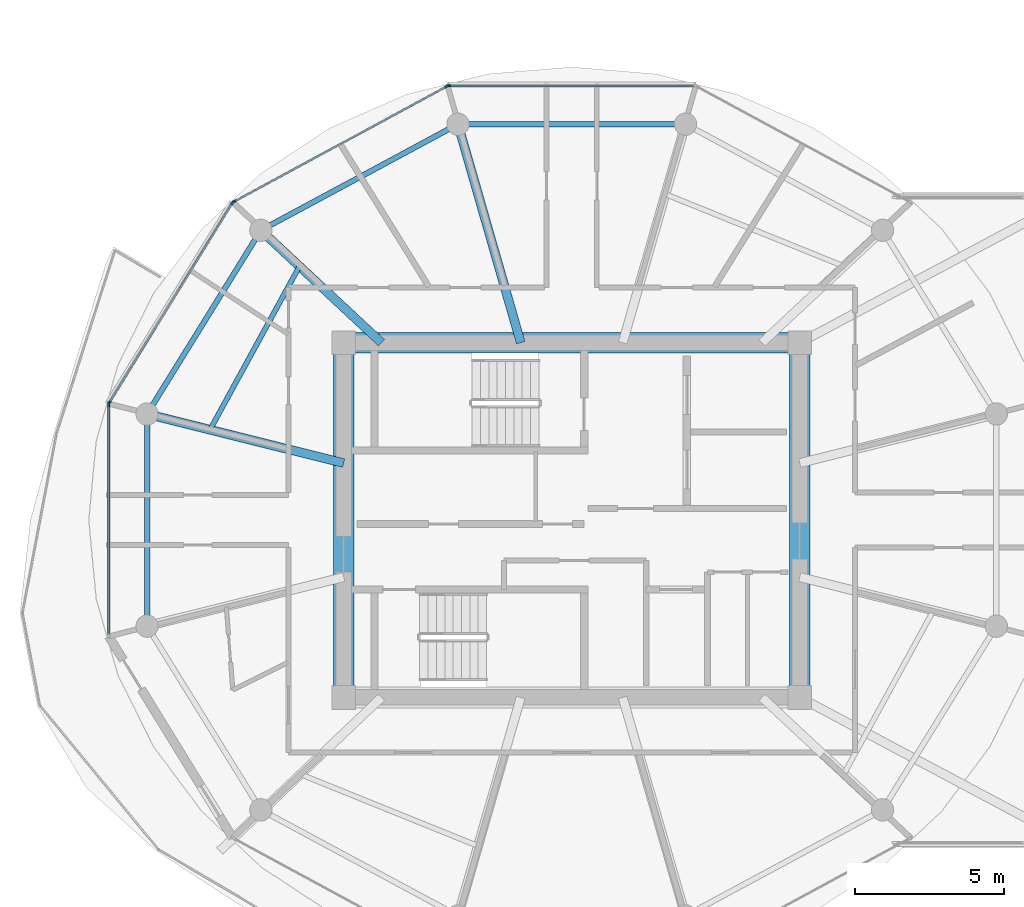
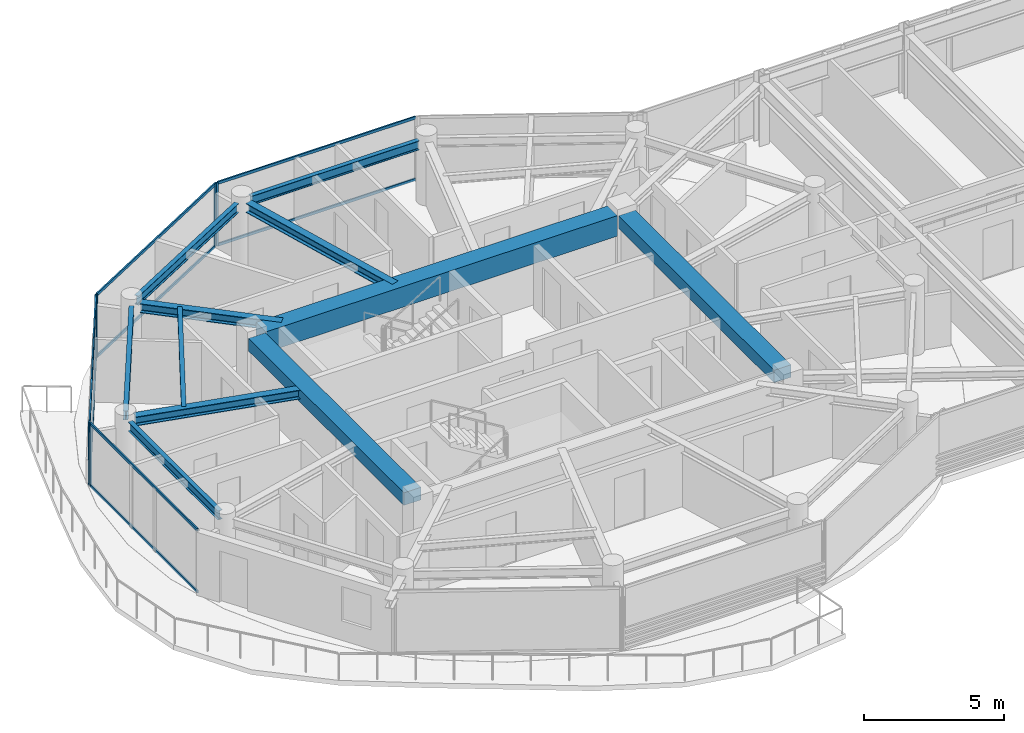
# One storey, part 4 of 23: 14 members, 11 beams, 4 elements without a shape of their own.
"""IFC4 building model written with IfcOpenShell, lengths in metres."""

from ifc_helpers import new_model, si_unit, direction, frame, origin, origin_2d, place, context, subcontext, project, spatial, rectangle, i_section, extrude, source, transform, mapped, material, layer, layer_set, material_profile, profile_set, type_object, type_shapes, element, aggregate, save


model = new_model("IFC4")

# Units and contexts
model_context = context("Model", 3, precision=1e-05, world=origin(), true_north=direction((0.0, 1.0)))
body_context = subcontext(model_context, "Body", "Model", "MODEL_VIEW")
ifc_project = project(units=[si_unit("LENGTHUNIT", "METRE"), si_unit("AREAUNIT", "SQUARE_METRE"), si_unit("VOLUMEUNIT", "CUBIC_METRE"), si_unit("PLANEANGLEUNIT", "RADIAN"), si_unit("MASSUNIT", "GRAM", prefix="KILO")], contexts=[model_context])

# Site, building, storey
site_placement = place(None, origin())
site = spatial("IfcSite", under=ifc_project, at=site_placement, CompositionType="ELEMENT")
building_placement = place(site_placement, origin())
building = spatial("IfcBuilding", under=site, at=building_placement, Name="Norrkilde Senior Care Towers", CompositionType="ELEMENT")
storey_placement = place(building_placement, frame((0.0, 0.0, 220.0)))
storey = spatial("IfcBuildingStorey", under=building, at=storey_placement, Name="L68", CompositionType="ELEMENT", Elevation=220.0)

# Beams
ifc_material_1 = material(Name="Concrete C60/75", Category="concrete")
ifc_material_profile_1 = material_profile(ifc_material_1, rectangle(XDim=0.699951171875, YDim=0.89990234375, at=origin_2d()), Name="RC BM 700x900")
ifc_profile_set_1 = profile_set([ifc_material_profile_1], Name="Concrete C60/75")
beam_type_1 = type_object("IfcBeamType", Name="Core Coupling Girder 700x900", PredefinedType="USERDEFINED", material=ifc_profile_set_1)
shared_shape_1 = source(origin(), body_context, "Body", "SweptSolid", [
    extrude(rectangle(XDim=0.699951171875, YDim=0.89990234375, at=origin_2d()), origin(), (0.0, 0.0, 1.0), 14.5400390625),
])
type_shapes(beam_type_1, [shared_shape_1])
beam_1_placement = place(storey_placement, frame((-35.27001953125, 5.949951171875, 2.31005859375), z_axis=(1.0, 0.0, 0.0), x_axis=(0.0, 1.0, 0.0)))
element("IfcBeam", 1, at=beam_1_placement, inside=storey, type_object=beam_type_1, Name="L68 Core W N Coupling Girder", ObjectType="GIRDER", PredefinedType="USERDEFINED", context=body_context, shape_type="MappedRepresentation", body=[
    mapped(shared_shape_1, transform((0.0, 0.0, 0.0), x_axis=(1.0, 0.0, 0.0), y_axis=(0.0, 1.0, 0.0), z_axis=(0.0, 0.0, 1.0), scale=1.0)),
])
ifc_material_profile_2 = material_profile(ifc_material_1, rectangle(XDim=0.699951171875, YDim=0.550048828125, at=origin_2d()), Name="RC BM 700x550")
ifc_profile_set_2 = profile_set([ifc_material_profile_2], Name="Concrete C60/75")
beam_type_2 = type_object("IfcBeamType", Name="Core Portal Coupling Beam 700x550", PredefinedType="USERDEFINED", material=ifc_profile_set_2)
shared_shape_2 = source(origin(), body_context, "Body", "SweptSolid", [
    extrude(rectangle(XDim=0.699951171875, YDim=0.550048828125, at=origin_2d()), origin(), (0.0, 0.0, 1.0), 11.14013671875),
])
type_shapes(beam_type_2, [shared_shape_2])
for number, where, z_axis, x_axis, name in (
    (2, (-35.64990234375, -5.570068359375, 2.485107421875), (0.0, 1.0, 0.0), (-1.0, 0.0, 0.0), "L68 Core W W Coupling Girder"),
    (3, (-20.35009765625, -5.570068359375, 2.485107421875), (0.0, 1.0, 0.0), (-1.0, 0.0, 0.0), "L68 Core W E Coupling Girder"),
):
    element("IfcBeam", number, at=place(storey_placement, frame(where, z_axis=z_axis, x_axis=x_axis)), inside=storey, type_object=beam_type_2, Name=name, ObjectType="GIRDER", PredefinedType="USERDEFINED", context=body_context, shape_type="MappedRepresentation", body=[
        mapped(shared_shape_2, transform((0.0, 0.0, 0.0), x_axis=(1.0, 0.0, 0.0), y_axis=(0.0, 1.0, 0.0), z_axis=(0.0, 0.0, 1.0), scale=1.0)),
    ])
ifc_material_2 = material(Name="Steel S355", Category="steel")
ifc_material_profile_3 = material_profile(ifc_material_2, i_section(OverallWidth=0.179931640625, OverallDepth=0.39990234375, WebThickness=0.008544921875, FlangeThickness=0.013427734375, FilletRadius=0.02099609375, at=origin_2d()), Name="IPE 400")
ifc_profile_set_3 = profile_set([ifc_material_profile_3], Name="Steel S355")
beam_type_3 = type_object("IfcBeamType", Name="Perimeter Ring Spandrel Z4 IPE400", PredefinedType="SPANDREL", material=ifc_profile_set_3)
shared_shape_3 = source(origin(), body_context, "Body", "SweptSolid", [
    extrude(i_section(OverallWidth=0.179931640625, OverallDepth=0.39990234375, WebThickness=0.008544921875, FlangeThickness=0.013427734375, FilletRadius=0.02099609375, at=origin_2d()), origin(), (0.0, 0.0, 1.0), 6.58056640625),
])
beam_2_placement = place(storey_placement, frame((-38.606201171875, 9.43798828125, 2.56005859375), z_axis=(-0.526529583789, -0.850156807533, 0.0), x_axis=(0.850156807533, -0.526529583789, 0.0)))
element("IfcBeam", 4, at=beam_2_placement, inside=storey, type_object=beam_type_3, Name="L68 Drum W Perimeter Spandrel 05", PredefinedType="SPANDREL", context=body_context, shape_type="MappedRepresentation", body=[
    mapped(shared_shape_3, transform((0.0, 0.0, 0.0), x_axis=(1.0, 0.0, 0.0), y_axis=(0.0, 1.0, 0.0), z_axis=(0.0, 0.0, 1.0), scale=1.0)),
])
ifc_material_profile_4 = material_profile(ifc_material_2, i_section(OverallWidth=0.300048828125, OverallDepth=0.39990234375, WebThickness=0.013427734375, FlangeThickness=0.02392578125, FilletRadius=0.027099609375, at=origin_2d()), Name="HEB 400")
ifc_profile_set_4 = profile_set([ifc_material_profile_4], Name="Steel S355")
beam_type_4 = type_object("IfcBeamType", Name="Radial Floor Beam Z4 HEB400", PredefinedType="BEAM", material=ifc_profile_set_4)
shared_shape_4 = source(origin(), body_context, "Body", "SweptSolid", [
    extrude(i_section(OverallWidth=0.300048828125, OverallDepth=0.39990234375, WebThickness=0.013427734375, FlangeThickness=0.02392578125, FilletRadius=0.027099609375, at=origin_2d()), origin(), (0.0, 0.0, 1.0), 6.465087890625),
])
beam_3_placement = place(storey_placement, frame((-35.64990234375, 1.910888671875, 2.56005859375), z_axis=(-0.970195788563, 0.242322371758, 0.0), x_axis=(-0.242322371758, -0.970195788563, 0.0)))
element("IfcBeam", 5, at=beam_3_placement, inside=storey, type_object=beam_type_4, Name="L68 Drum W Radial Floor Beam 06", PredefinedType="BEAM", context=body_context, shape_type="MappedRepresentation", body=[
    mapped(shared_shape_4, transform((0.0, 0.0, 0.0), x_axis=(1.0, 0.0, 0.0), y_axis=(0.0, 1.0, 0.0), z_axis=(0.0, 0.0, 1.0), scale=1.0)),
])
shared_shape_5 = source(origin(), body_context, "Body", "SweptSolid", [
    extrude(i_section(OverallWidth=0.179931640625, OverallDepth=0.39990234375, WebThickness=0.008544921875, FlangeThickness=0.013427734375, FilletRadius=0.02099609375, at=origin_2d()), origin(), (0.0, 0.0, 1.0), 6.839111328125),
])
beam_4_placement = place(storey_placement, frame((-32.112548828125, 13.122802734375, 2.56005859375), z_axis=(-0.880563930732, -0.473927382511, 0.0), x_axis=(0.473927382511, -0.880563930732, 0.0)))
element("IfcBeam", 6, at=beam_4_placement, inside=storey, type_object=beam_type_3, Name="L68 Drum W Perimeter Spandrel 04", PredefinedType="SPANDREL", context=body_context, shape_type="MappedRepresentation", body=[
    mapped(shared_shape_5, transform((0.0, 0.0, 0.0), x_axis=(1.0, 0.0, 0.0), y_axis=(0.0, 1.0, 0.0), z_axis=(0.0, 0.0, 1.0), scale=1.0)),
])
shared_shape_6 = source(origin(), body_context, "Body", "SweptSolid", [
    extrude(i_section(OverallWidth=0.300048828125, OverallDepth=0.39990234375, WebThickness=0.013427734375, FlangeThickness=0.02392578125, FilletRadius=0.027099609375, at=origin_2d()), origin(), (0.0, 0.0, 1.0), 5.197998046875),
])
beam_5_placement = place(storey_placement, frame((-34.3828125, 5.949951171875, 2.56005859375), z_axis=(-0.731448749334, 0.681896419625, 0.0), x_axis=(-0.681896419625, -0.731448749334, 0.0)))
element("IfcBeam", 7, at=beam_5_placement, inside=storey, type_object=beam_type_4, Name="L68 Drum W Radial Floor Beam 05", PredefinedType="BEAM", context=body_context, shape_type="MappedRepresentation", body=[
    mapped(shared_shape_6, transform((0.0, 0.0, 0.0), x_axis=(1.0, 0.0, 0.0), y_axis=(0.0, 1.0, 0.0), z_axis=(0.0, 0.0, 1.0), scale=1.0)),
])
shared_shape_7 = source(origin(), body_context, "Body", "SweptSolid", [
    extrude(i_section(OverallWidth=0.179931640625, OverallDepth=0.39990234375, WebThickness=0.008544921875, FlangeThickness=0.013427734375, FilletRadius=0.02099609375, at=origin_2d()), origin(), (0.0, 0.0, 1.0), 6.96533203125),
])
beam_6_placement = place(storey_placement, frame((-24.517333984375, 13.281494140625, 2.56005859375), z_axis=(-1.0, 0.0, 0.0), x_axis=(0.0, -1.0, 0.0)))
element("IfcBeam", 8, at=beam_6_placement, inside=storey, type_object=beam_type_3, Name="L68 Drum W Perimeter Spandrel 03", PredefinedType="SPANDREL", context=body_context, shape_type="MappedRepresentation", body=[
    mapped(shared_shape_7, transform((0.0, 0.0, 0.0), x_axis=(1.0, 0.0, 0.0), y_axis=(0.0, 1.0, 0.0), z_axis=(0.0, 0.0, 1.0), scale=1.0)),
])
shared_shape_8 = source(origin(), body_context, "Body", "SweptSolid", [
    extrude(i_section(OverallWidth=0.300048828125, OverallDepth=0.39990234375, WebThickness=0.013427734375, FlangeThickness=0.02392578125, FilletRadius=0.027099609375, at=origin_2d()), origin(), (0.0, 0.0, 1.0), 7.29345703125),
])
type_shapes(beam_type_4, [shared_shape_4, shared_shape_6, shared_shape_8])
beam_7_placement = place(storey_placement, frame((-29.710205078125, 5.949951171875, 2.56005859375), z_axis=(-0.276263751906, 0.961081858836, 0.0), x_axis=(-0.961081858836, -0.276263751906, 0.0)))
element("IfcBeam", 9, at=beam_7_placement, inside=storey, type_object=beam_type_4, Name="L68 Drum W Radial Floor Beam 04", PredefinedType="BEAM", context=body_context, shape_type="MappedRepresentation", body=[
    mapped(shared_shape_8, transform((0.0, 0.0, 0.0), x_axis=(1.0, 0.0, 0.0), y_axis=(0.0, 1.0, 0.0), z_axis=(0.0, 0.0, 1.0), scale=1.0)),
])
shared_shape_9 = source(origin(), body_context, "Body", "SweptSolid", [
    extrude(i_section(OverallWidth=0.179931640625, OverallDepth=0.39990234375, WebThickness=0.008544921875, FlangeThickness=0.013427734375, FilletRadius=0.02099609375, at=origin_2d()), origin(), (0.0, 0.0, 1.0), 6.44775390625),
])
type_shapes(beam_type_3, [shared_shape_3, shared_shape_5, shared_shape_7, shared_shape_9])
beam_8_placement = place(storey_placement, frame((-42.247314453125, 3.223876953125, 2.56005859375), z_axis=(0.0, -1.0, 0.0), x_axis=(1.0, 0.0, 0.0)))
element("IfcBeam", 10, at=beam_8_placement, inside=storey, type_object=beam_type_3, Name="L68 Drum W Perimeter Spandrel 06", PredefinedType="SPANDREL", context=body_context, shape_type="MappedRepresentation", body=[
    mapped(shared_shape_9, transform((0.0, 0.0, 0.0), x_axis=(1.0, 0.0, 0.0), y_axis=(0.0, 1.0, 0.0), z_axis=(0.0, 0.0, 1.0), scale=1.0)),
])
ifc_material_profile_5 = material_profile(ifc_material_2, i_section(OverallWidth=0.169921875, OverallDepth=0.360107421875, WebThickness=0.008056640625, FlangeThickness=0.0126953125, FilletRadius=0.01806640625, at=origin_2d()), Name="IPE 360")
ifc_profile_set_5 = profile_set([ifc_material_profile_5], Name="Steel S355")
beam_type_5 = type_object("IfcBeamType", Name="Secondary Floor Joist IPE360", PredefinedType="JOIST", material=ifc_profile_set_5)
shared_shape_10 = source(origin(), body_context, "Body", "SweptSolid", [
    extrude(i_section(OverallWidth=0.169921875, OverallDepth=0.360107421875, WebThickness=0.008056640625, FlangeThickness=0.0126953125, FilletRadius=0.01806640625, at=origin_2d()), origin(), (0.0, 0.0, 1.0), 6.25146484375),
])
type_shapes(beam_type_5, [shared_shape_10])
beam_9_placement = place(storey_placement, frame((-37.134765625, 8.515380859375, 2.580078125), z_axis=(-0.480115752653, -0.877205143655, 0.0), x_axis=(0.877205143655, -0.480115752653, 0.0)))
element("IfcBeam", 11, at=beam_9_placement, inside=storey, type_object=beam_type_5, Name="L68 Drum W Secondary Floor Joist 2", PredefinedType="JOIST", context=body_context, shape_type="MappedRepresentation", body=[
    mapped(shared_shape_10, transform((0.0, 0.0, 0.0), x_axis=(1.0, 0.0, 0.0), y_axis=(0.0, 1.0, 0.0), z_axis=(0.0, 0.0, 1.0), scale=1.0)),
])

# Curtain wall, members
ifc_material_3 = material(Name="Triple Low-E Insulated Glazing", Category="glass")
ifc_layer = layer(ifc_material_3, 0.18505859375)
ifc_layer_set = layer_set([ifc_layer], Name="Triple Low-E Insulated Glazing")
curtain_wall_type = type_object("IfcCurtainWallType", Name="CW6 Zone 4 Crown Pavilion Curtain Wall", PredefinedType="NOTDEFINED", material=ifc_layer_set)
curtain_wall_1_placement = place(storey_placement, origin())
curtain_wall_1 = element("IfcCurtainWall", 12, at=curtain_wall_1_placement, inside=storey, type_object=curtain_wall_type, Name="L68 Drum W Curtain Wall 04", PredefinedType="NOTDEFINED")
ifc_material_4 = material(Name="Anodised Aluminium", Category="aluminium")
ifc_material_profile_6 = material_profile(ifc_material_4, rectangle(XDim=0.06005859375, YDim=0.1201171875, at=origin_2d()), Name="ALU TRAN 60x120")
ifc_profile_set_6 = profile_set([ifc_material_profile_6], Name="Anodised Aluminium")
member_type_1 = type_object("IfcMemberType", Name="Curtain Wall Transom Typical 60x120", PredefinedType="USERDEFINED", material=ifc_profile_set_6)
shared_shape_11 = source(origin(), body_context, "Body", "SweptSolid", [
    extrude(rectangle(XDim=0.06005859375, YDim=0.1201171875, at=origin_2d()), origin(), (0.0, 0.0, 1.0), 7.808837890625),
])
member_1_placement = place(storey_placement, frame((-43.498046875, 3.958251953125, 0.030029296875), z_axis=(0.524250924101, 0.851563837055, 0.0), x_axis=(-0.851563837055, 0.524250924101, 0.0)))
member_1 = element("IfcMember", 13, at=member_1_placement, type_object=member_type_1, Name="CW-6 transom 1.1", ObjectType="TRANSOM", PredefinedType="USERDEFINED", context=body_context, shape_type="MappedRepresentation", body=[
    mapped(shared_shape_11, transform((0.0, 0.0, 0.0), x_axis=(1.0, 0.0, 0.0), y_axis=(0.0, 1.0, 0.0), z_axis=(0.0, 0.0, 1.0), scale=1.0)),
])
member_2_placement = place(storey_placement, frame((-43.498046875, 3.958251953125, 2.72998046875), z_axis=(0.524250924101, 0.851563837055, 0.0), x_axis=(-0.851563837055, 0.524250924101, 0.0)))
member_2 = element("IfcMember", 14, at=member_2_placement, type_object=member_type_1, Name="CW-6 transom 1.2", ObjectType="TRANSOM", PredefinedType="USERDEFINED", context=body_context, shape_type="MappedRepresentation", body=[
    mapped(shared_shape_11, transform((0.0, 0.0, 0.0), x_axis=(1.0, 0.0, 0.0), y_axis=(0.0, 1.0, 0.0), z_axis=(0.0, 0.0, 1.0), scale=1.0)),
])

curtain_wall_2_placement = place(storey_placement, origin())
curtain_wall_2 = element("IfcCurtainWall", 15, at=curtain_wall_2_placement, inside=storey, type_object=curtain_wall_type, Name="L68 Drum W Curtain Wall 02", PredefinedType="NOTDEFINED")
shared_shape_12 = source(origin(), body_context, "Body", "SweptSolid", [
    extrude(rectangle(XDim=0.06005859375, YDim=0.1201171875, at=origin_2d()), origin(), (0.0, 0.0, 1.0), 8.19384765625),
])
member_3_placement = place(storey_placement, frame((-32.096923828125, 14.566162109375, 0.030029296875), z_axis=(1.0, 0.0, 0.0), x_axis=(0.0, 1.0, 0.0)))
member_3 = element("IfcMember", 16, at=member_3_placement, type_object=member_type_1, Name="CW-6 transom 1.1", ObjectType="TRANSOM", PredefinedType="USERDEFINED", context=body_context, shape_type="MappedRepresentation", body=[
    mapped(shared_shape_12, transform((0.0, 0.0, 0.0), x_axis=(1.0, 0.0, 0.0), y_axis=(0.0, 1.0, 0.0), z_axis=(0.0, 0.0, 1.0), scale=1.0)),
])
member_4_placement = place(storey_placement, frame((-32.096923828125, 14.566162109375, 2.72998046875), z_axis=(1.0, 0.0, 0.0), x_axis=(0.0, 1.0, 0.0)))
member_4 = element("IfcMember", 17, at=member_4_placement, type_object=member_type_1, Name="CW-6 transom 1.2", ObjectType="TRANSOM", PredefinedType="USERDEFINED", context=body_context, shape_type="MappedRepresentation", body=[
    mapped(shared_shape_12, transform((0.0, 0.0, 0.0), x_axis=(1.0, 0.0, 0.0), y_axis=(0.0, 1.0, 0.0), z_axis=(0.0, 0.0, 1.0), scale=1.0)),
])

curtain_wall_3_placement = place(storey_placement, origin())
curtain_wall_3 = element("IfcCurtainWall", 18, at=curtain_wall_3_placement, inside=storey, type_object=curtain_wall_type, Name="L68 Drum W Curtain Wall 03", PredefinedType="NOTDEFINED")
shared_shape_13 = source(origin(), body_context, "Body", "SweptSolid", [
    extrude(rectangle(XDim=0.06005859375, YDim=0.1201171875, at=origin_2d()), origin(), (0.0, 0.0, 1.0), 8.0673828125),
])
member_5_placement = place(storey_placement, frame((-39.313232421875, 10.694091796875, 0.030029296875), z_axis=(0.87937750072, 0.476125205411, 0.0), x_axis=(-0.476125205411, 0.87937750072, 0.0)))
member_5 = element("IfcMember", 19, at=member_5_placement, type_object=member_type_1, Name="CW-6 transom 1.1", ObjectType="TRANSOM", PredefinedType="USERDEFINED", context=body_context, shape_type="MappedRepresentation", body=[
    mapped(shared_shape_13, transform((0.0, 0.0, 0.0), x_axis=(1.0, 0.0, 0.0), y_axis=(0.0, 1.0, 0.0), z_axis=(0.0, 0.0, 1.0), scale=1.0)),
])
member_6_placement = place(storey_placement, frame((-39.313232421875, 10.694091796875, 2.72998046875), z_axis=(0.87937750072, 0.476125205411, 0.0), x_axis=(-0.476125205411, 0.87937750072, 0.0)))
member_6 = element("IfcMember", 20, at=member_6_placement, type_object=member_type_1, Name="CW-6 transom 1.2", ObjectType="TRANSOM", PredefinedType="USERDEFINED", context=body_context, shape_type="MappedRepresentation", body=[
    mapped(shared_shape_13, transform((0.0, 0.0, 0.0), x_axis=(1.0, 0.0, 0.0), y_axis=(0.0, 1.0, 0.0), z_axis=(0.0, 0.0, 1.0), scale=1.0)),
])

curtain_wall_4_placement = place(storey_placement, origin())
curtain_wall_4 = element("IfcCurtainWall", 21, at=curtain_wall_4_placement, inside=storey, type_object=curtain_wall_type, Name="L68 Drum W Curtain Wall 05", PredefinedType="NOTDEFINED")
shared_shape_14 = source(origin(), body_context, "Body", "SweptSolid", [
    extrude(rectangle(XDim=0.06005859375, YDim=0.1201171875, at=origin_2d()), origin(), (0.0, 0.0, 1.0), 7.67578125),
])
type_shapes(member_type_1, [shared_shape_11, shared_shape_12, shared_shape_13, shared_shape_14])
member_7_placement = place(storey_placement, frame((-43.531982421875, -3.837890625, 0.030029296875), z_axis=(0.0, 1.0, 0.0), x_axis=(-1.0, 0.0, 0.0)))
member_7 = element("IfcMember", 22, at=member_7_placement, type_object=member_type_1, Name="CW-6 transom 1.1", ObjectType="TRANSOM", PredefinedType="USERDEFINED", context=body_context, shape_type="MappedRepresentation", body=[
    mapped(shared_shape_14, transform((0.0, 0.0, 0.0), x_axis=(1.0, 0.0, 0.0), y_axis=(0.0, 1.0, 0.0), z_axis=(0.0, 0.0, 1.0), scale=1.0)),
])
member_8_placement = place(storey_placement, frame((-43.531982421875, -3.837890625, 2.72998046875), z_axis=(0.0, 1.0, 0.0), x_axis=(-1.0, 0.0, 0.0)))
member_8 = element("IfcMember", 23, at=member_8_placement, type_object=member_type_1, Name="CW-6 transom 1.2", ObjectType="TRANSOM", PredefinedType="USERDEFINED", context=body_context, shape_type="MappedRepresentation", body=[
    mapped(shared_shape_14, transform((0.0, 0.0, 0.0), x_axis=(1.0, 0.0, 0.0), y_axis=(0.0, 1.0, 0.0), z_axis=(0.0, 0.0, 1.0), scale=1.0)),
])

# Member
ifc_material_profile_7 = material_profile(ifc_material_4, rectangle(XDim=0.06494140625, YDim=0.14990234375, at=origin_2d()), Name="ALU MULL 65x150")
ifc_profile_set_7 = profile_set([ifc_material_profile_7], Name="Anodised Aluminium")
member_type_2 = type_object("IfcMemberType", Name="Curtain Wall Mullion Z3-Z4 65x150", PredefinedType="MULLION", material=ifc_profile_set_7)
shared_shape_15 = source(origin(), body_context, "Body", "SweptSolid", [
    extrude(rectangle(XDim=0.06494140625, YDim=0.14990234375, at=origin_2d()), origin(), (0.0, 0.0, 1.0), 2.760009765625),
])
type_shapes(member_type_2, [shared_shape_15])
member_9_placement = place(storey_placement, frame((-32.12939453125, 14.566162109375, 0.0), z_axis=(0.0, 0.0, 1.0), x_axis=(0.0, 1.0, 0.0)))
member_9 = element("IfcMember", 24, at=member_9_placement, type_object=member_type_2, Name="CW-6 mullion 1", PredefinedType="MULLION", context=body_context, shape_type="MappedRepresentation", body=[
    mapped(shared_shape_15, transform((0.0, 0.0, 0.0), x_axis=(1.0, 0.0, 0.0), y_axis=(0.0, 1.0, 0.0), z_axis=(0.0, 0.0, 1.0), scale=1.0)),
])

aggregate(curtain_wall_2, [member_9, member_3, member_4])

member_10_placement = place(storey_placement, frame((-39.341796875, 10.6787109375, 0.0), z_axis=(0.0, 0.0, 1.0), x_axis=(-0.476132676136, 0.879373455772, 0.0)))
member_10 = element("IfcMember", 25, at=member_10_placement, type_object=member_type_2, Name="CW-6 mullion 1", PredefinedType="MULLION", context=body_context, shape_type="MappedRepresentation", body=[
    mapped(shared_shape_15, transform((0.0, 0.0, 0.0), x_axis=(1.0, 0.0, 0.0), y_axis=(0.0, 1.0, 0.0), z_axis=(0.0, 0.0, 1.0), scale=1.0)),
])

member_11_placement = place(storey_placement, frame((-32.1904296875, 14.55078125, 0.0), z_axis=(0.0, 0.0, 1.0), x_axis=(-0.476132676136, 0.879373455772, 0.0)))
member_11 = element("IfcMember", 26, at=member_11_placement, type_object=member_type_2, Name="CW-6 mullion 2", PredefinedType="MULLION", context=body_context, shape_type="MappedRepresentation", body=[
    mapped(shared_shape_15, transform((0.0, 0.0, 0.0), x_axis=(1.0, 0.0, 0.0), y_axis=(0.0, 1.0, 0.0), z_axis=(0.0, 0.0, 1.0), scale=1.0)),
])

aggregate(curtain_wall_3, [member_10, member_11, member_5, member_6])

member_12_placement = place(storey_placement, frame((-43.51513671875, 3.9306640625, 0.0), z_axis=(0.0, 0.0, 1.0), x_axis=(-0.851562727283, 0.524252726748, 0.0)))
member_12 = element("IfcMember", 27, at=member_12_placement, type_object=member_type_2, Name="CW-6 mullion 1", PredefinedType="MULLION", context=body_context, shape_type="MappedRepresentation", body=[
    mapped(shared_shape_15, transform((0.0, 0.0, 0.0), x_axis=(1.0, 0.0, 0.0), y_axis=(0.0, 1.0, 0.0), z_axis=(0.0, 0.0, 1.0), scale=1.0)),
])

member_13_placement = place(storey_placement, frame((-39.38720703125, 10.635498046875, 0.0), z_axis=(0.0, 0.0, 1.0), x_axis=(-0.851562727283, 0.524252726748, 0.0)))
member_13 = element("IfcMember", 28, at=member_13_placement, type_object=member_type_2, Name="CW-6 mullion 2", PredefinedType="MULLION", context=body_context, shape_type="MappedRepresentation", body=[
    mapped(shared_shape_15, transform((0.0, 0.0, 0.0), x_axis=(1.0, 0.0, 0.0), y_axis=(0.0, 1.0, 0.0), z_axis=(0.0, 0.0, 1.0), scale=1.0)),
])

aggregate(curtain_wall_1, [member_12, member_13, member_1, member_2])

member_14_placement = place(storey_placement, frame((-43.531982421875, 3.87060546875, 0.0), z_axis=(0.0, 0.0, 1.0), x_axis=(-1.0, 0.0, 0.0)))
member_14 = element("IfcMember", 29, at=member_14_placement, type_object=member_type_2, Name="CW-6 mullion 2", PredefinedType="MULLION", context=body_context, shape_type="MappedRepresentation", body=[
    mapped(shared_shape_15, transform((0.0, 0.0, 0.0), x_axis=(1.0, 0.0, 0.0), y_axis=(0.0, 1.0, 0.0), z_axis=(0.0, 0.0, 1.0), scale=1.0)),
])

aggregate(curtain_wall_4, [member_14, member_7, member_8])

save(model, "model.ifc")
